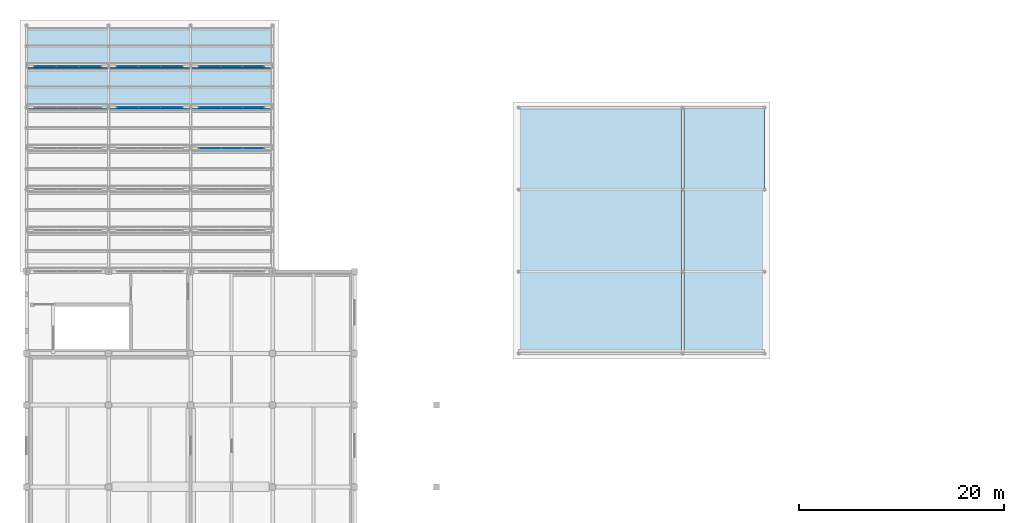
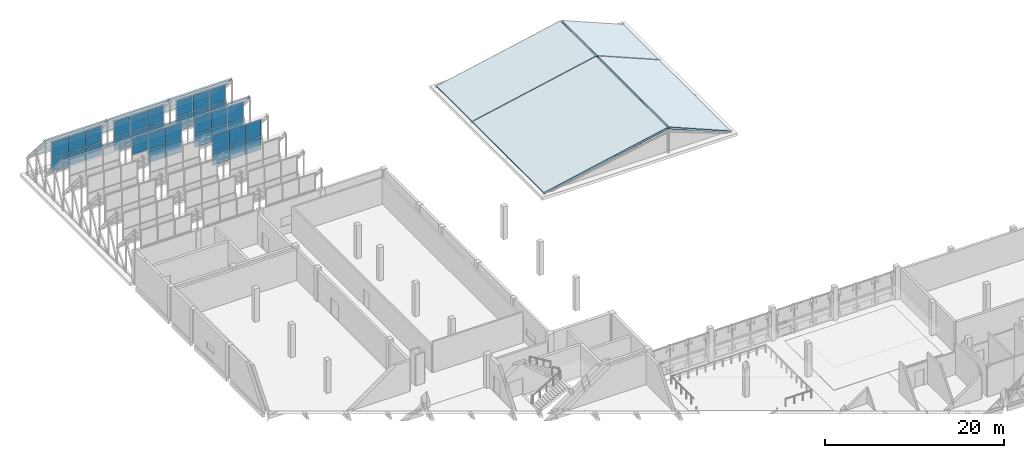
# One storey, part 32 of 43: 35 plates, 6 slabs, 10 elements without a shape of their own.
"""IFC4 building model written with IfcOpenShell, lengths in metres."""

from ifc_helpers import new_model, si_unit, direction, frame, origin, origin_2d, place, context, subcontext, project, spatial, polyline, rectangle, outline, extrude, material, layer, layer_set, type_object, element, aggregate, save


model = new_model("IFC4")

# Units and contexts
model_context = context("Model", 3, precision=1e-05, world=origin(), true_north=direction((0.0, 1.0)))
body_context = subcontext(model_context, "Body", "Model", "MODEL_VIEW")
ifc_project = project(units=[si_unit("LENGTHUNIT", "METRE"), si_unit("AREAUNIT", "SQUARE_METRE"), si_unit("VOLUMEUNIT", "CUBIC_METRE"), si_unit("PLANEANGLEUNIT", "RADIAN"), si_unit("MASSUNIT", "GRAM", prefix="KILO")], contexts=[model_context])

# Site, building, storey
site_placement = place(None, origin())
site = spatial("IfcSite", under=ifc_project, at=site_placement, CompositionType="ELEMENT")
building_placement = place(site_placement, origin())
building = spatial("IfcBuilding", under=site, at=building_placement, Name="Qorikala Patio Media Centre", CompositionType="ELEMENT")
storey_placement = place(building_placement, frame((0.0, 0.0, 18.89990234375)))
storey = spatial("IfcBuildingStorey", under=building, at=storey_placement, Name="L04", CompositionType="ELEMENT", Elevation=18.89990234375)

# Curtain wall, plates
ifc_material_1 = material(Name="Bronze Anodised Aluminium and Low-E Glass", Category="aluminium")
ifc_layer_1 = layer(ifc_material_1, 0.159912109375)
ifc_layer_set_1 = layer_set([ifc_layer_1], Name="Bronze Anodised Aluminium and Low-E Glass")
curtain_wall_type_1 = type_object("IfcCurtainWallType", Name="CW-SAW-640X420", PredefinedType="USERDEFINED", material=ifc_layer_set_1)
curtain_wall_1_placement = place(storey_placement, origin())
curtain_wall_1 = element("IfcCurtainWall", 1, at=curtain_wall_1_placement, inside=storey, type_object=curtain_wall_type_1, Name="L04 Sawtooth Glazing 153", ObjectType="SAWTOOTH GLAZING", PredefinedType="USERDEFINED")
ifc_material_2 = material(Name="Acoustic Laminated Low-E Glass", Category="glass")
ifc_layer_2 = layer(ifc_material_2, 0.031982421875)
ifc_layer_set_2 = layer_set([ifc_layer_2], Name="Acoustic Laminated Low-E Glass")
plate_type = type_object("IfcPlateType", Name="CWP-32", PredefinedType="CURTAIN_PANEL", material=ifc_layer_set_2)
plate_1_placement = place(storey_placement, frame((20.881591796875, 84.0, 2.81005859375), z_axis=(0.0, 0.0, 1.0), x_axis=(1.0, 0.0, 0.0)))
plate_1 = element("IfcPlate", 2, at=plate_1_placement, type_object=plate_type, Name="CWS640420 panel 1.1", PredefinedType="CURTAIN_PANEL", context=body_context, shape_type="SweptSolid", body=[
    extrude(rectangle(XDim=2.043212890625, YDim=0.031982421875, at=origin_2d()), origin(), (0.0, 0.0, 1.0), 1.800048828125),
])
plate_2_placement = place(storey_placement, frame((20.881591796875, 84.0, 4.669921875), z_axis=(0.0, 0.0, 1.0), x_axis=(1.0, 0.0, 0.0)))
plate_2 = element("IfcPlate", 3, at=plate_2_placement, type_object=plate_type, Name="CWS640420 panel 1.2", PredefinedType="CURTAIN_PANEL", context=body_context, shape_type="SweptSolid", body=[
    extrude(rectangle(XDim=2.043212890625, YDim=0.031982421875, at=origin_2d()), origin(), (0.0, 0.0, 1.0), 2.219970703125),
])
plate_3_placement = place(storey_placement, frame((23.0, 84.0, 2.81005859375), z_axis=(0.0, 0.0, 1.0), x_axis=(1.0, 0.0, 0.0)))
plate_3 = element("IfcPlate", 4, at=plate_3_placement, type_object=plate_type, Name="CWS640420 panel 2.1", PredefinedType="CURTAIN_PANEL", context=body_context, shape_type="SweptSolid", body=[
    extrude(rectangle(XDim=2.0732421875, YDim=0.031982421875, at=origin_2d()), origin(), (0.0, 0.0, 1.0), 1.800048828125),
])
plate_4_placement = place(storey_placement, frame((23.0, 84.0, 4.669921875), z_axis=(0.0, 0.0, 1.0), x_axis=(1.0, 0.0, 0.0)))
plate_4 = element("IfcPlate", 5, at=plate_4_placement, type_object=plate_type, Name="CWS640420 panel 2.2", PredefinedType="CURTAIN_PANEL", context=body_context, shape_type="SweptSolid", body=[
    extrude(rectangle(XDim=2.0732421875, YDim=0.031982421875, at=origin_2d()), origin(), (0.0, 0.0, 1.0), 2.219970703125),
])
plate_5_placement = place(storey_placement, frame((25.118408203125, 84.0, 2.81005859375), z_axis=(0.0, 0.0, 1.0), x_axis=(1.0, 0.0, 0.0)))
plate_5 = element("IfcPlate", 6, at=plate_5_placement, type_object=plate_type, Name="CWS640420 panel 3.1", PredefinedType="CURTAIN_PANEL", context=body_context, shape_type="SweptSolid", body=[
    extrude(rectangle(XDim=2.043212890625, YDim=0.031982421875, at=origin_2d()), origin(), (0.0, 0.0, 1.0), 1.800048828125),
])
plate_6_placement = place(storey_placement, frame((25.118408203125, 84.0, 4.669921875), z_axis=(0.0, 0.0, 1.0), x_axis=(1.0, 0.0, 0.0)))
plate_6 = element("IfcPlate", 7, at=plate_6_placement, type_object=plate_type, Name="CWS640420 panel 3.2", PredefinedType="CURTAIN_PANEL", context=body_context, shape_type="SweptSolid", body=[
    extrude(rectangle(XDim=2.043212890625, YDim=0.031982421875, at=origin_2d()), origin(), (0.0, 0.0, 1.0), 2.219970703125),
])
aggregate(curtain_wall_1, [plate_1, plate_2, plate_3, plate_4, plate_5, plate_6])

ifc_layer_3 = layer(ifc_material_1, 0.159912109375)
ifc_layer_set_3 = layer_set([ifc_layer_3], Name="Bronze Anodised Aluminium and Low-E Glass")
curtain_wall_type_2 = type_object("IfcCurtainWallType", Name="CW-SAW-648X414", PredefinedType="USERDEFINED", material=ifc_layer_set_3)
curtain_wall_2_placement = place(storey_placement, origin())
curtain_wall_2 = element("IfcCurtainWall", 8, at=curtain_wall_2_placement, inside=storey, type_object=curtain_wall_type_2, Name="L04 Sawtooth Glazing 155", ObjectType="SAWTOOTH GLAZING", PredefinedType="USERDEFINED")
plate_7_placement = place(storey_placement, frame((12.85498046875, 88.0, 4.64306640625), z_axis=(0.0, 0.0, 1.0), x_axis=(1.0, 0.0, 0.0)))
plate_7 = element("IfcPlate", 9, at=plate_7_placement, type_object=plate_type, Name="CWS648414 panel 1.2", PredefinedType="CURTAIN_PANEL", context=body_context, shape_type="SweptSolid", body=[
    extrude(rectangle(XDim=2.070068359375, YDim=0.031982421875, at=origin_2d()), origin(), (0.0, 0.0, 1.0), 2.18701171875),
])
plate_8_placement = place(storey_placement, frame((15.0, 88.0, 2.81005859375), z_axis=(0.0, 0.0, 1.0), x_axis=(1.0, 0.0, 0.0)))
plate_8 = element("IfcPlate", 10, at=plate_8_placement, type_object=plate_type, Name="CWS648414 panel 2.1", PredefinedType="CURTAIN_PANEL", context=body_context, shape_type="SweptSolid", body=[
    extrude(rectangle(XDim=2.10009765625, YDim=0.031982421875, at=origin_2d()), origin(), (0.0, 0.0, 1.0), 1.77294921875),
])
plate_9_placement = place(storey_placement, frame((15.0, 88.0, 4.64306640625), z_axis=(0.0, 0.0, 1.0), x_axis=(1.0, 0.0, 0.0)))
plate_9 = element("IfcPlate", 11, at=plate_9_placement, type_object=plate_type, Name="CWS648414 panel 2.2", PredefinedType="CURTAIN_PANEL", context=body_context, shape_type="SweptSolid", body=[
    extrude(rectangle(XDim=2.10009765625, YDim=0.031982421875, at=origin_2d()), origin(), (0.0, 0.0, 1.0), 2.18701171875),
])
plate_10_placement = place(storey_placement, frame((17.14501953125, 88.0, 2.81005859375), z_axis=(0.0, 0.0, 1.0), x_axis=(1.0, 0.0, 0.0)))
plate_10 = element("IfcPlate", 12, at=plate_10_placement, type_object=plate_type, Name="CWS648414 panel 3.1", PredefinedType="CURTAIN_PANEL", context=body_context, shape_type="SweptSolid", body=[
    extrude(rectangle(XDim=2.070068359375, YDim=0.031982421875, at=origin_2d()), origin(), (0.0, 0.0, 1.0), 1.77294921875),
])
plate_11_placement = place(storey_placement, frame((17.14501953125, 88.0, 4.64306640625), z_axis=(0.0, 0.0, 1.0), x_axis=(1.0, 0.0, 0.0)))
plate_11 = element("IfcPlate", 13, at=plate_11_placement, type_object=plate_type, Name="CWS648414 panel 3.2", PredefinedType="CURTAIN_PANEL", context=body_context, shape_type="SweptSolid", body=[
    extrude(rectangle(XDim=2.070068359375, YDim=0.031982421875, at=origin_2d()), origin(), (0.0, 0.0, 1.0), 2.18701171875),
])
aggregate(curtain_wall_2, [plate_7, plate_8, plate_9, plate_10, plate_11])

ifc_layer_4 = layer(ifc_material_1, 0.159912109375)
ifc_layer_set_4 = layer_set([ifc_layer_4], Name="Bronze Anodised Aluminium and Low-E Glass")
curtain_wall_type_3 = type_object("IfcCurtainWallType", Name="CW-SAW-640X414", PredefinedType="USERDEFINED", material=ifc_layer_set_4)
curtain_wall_3_placement = place(storey_placement, origin())
curtain_wall_3 = element("IfcCurtainWall", 14, at=curtain_wall_3_placement, inside=storey, type_object=curtain_wall_type_3, Name="L04 Sawtooth Glazing 156", ObjectType="SAWTOOTH GLAZING", PredefinedType="USERDEFINED")
plate_12_placement = place(storey_placement, frame((20.881591796875, 88.0, 2.81005859375), z_axis=(0.0, 0.0, 1.0), x_axis=(1.0, 0.0, 0.0)))
plate_12 = element("IfcPlate", 15, at=plate_12_placement, type_object=plate_type, Name="CWS640414 panel 1.1", PredefinedType="CURTAIN_PANEL", context=body_context, shape_type="SweptSolid", body=[
    extrude(rectangle(XDim=2.043212890625, YDim=0.031982421875, at=origin_2d()), origin(), (0.0, 0.0, 1.0), 1.77294921875),
])
plate_13_placement = place(storey_placement, frame((20.881591796875, 88.0, 4.64306640625), z_axis=(0.0, 0.0, 1.0), x_axis=(1.0, 0.0, 0.0)))
plate_13 = element("IfcPlate", 16, at=plate_13_placement, type_object=plate_type, Name="CWS640414 panel 1.2", PredefinedType="CURTAIN_PANEL", context=body_context, shape_type="SweptSolid", body=[
    extrude(rectangle(XDim=2.043212890625, YDim=0.031982421875, at=origin_2d()), origin(), (0.0, 0.0, 1.0), 2.18701171875),
])
plate_14_placement = place(storey_placement, frame((23.0, 88.0, 2.81005859375), z_axis=(0.0, 0.0, 1.0), x_axis=(1.0, 0.0, 0.0)))
plate_14 = element("IfcPlate", 17, at=plate_14_placement, type_object=plate_type, Name="CWS640414 panel 2.1", PredefinedType="CURTAIN_PANEL", context=body_context, shape_type="SweptSolid", body=[
    extrude(rectangle(XDim=2.0732421875, YDim=0.031982421875, at=origin_2d()), origin(), (0.0, 0.0, 1.0), 1.77294921875),
])
plate_15_placement = place(storey_placement, frame((23.0, 88.0, 4.64306640625), z_axis=(0.0, 0.0, 1.0), x_axis=(1.0, 0.0, 0.0)))
plate_15 = element("IfcPlate", 18, at=plate_15_placement, type_object=plate_type, Name="CWS640414 panel 2.2", PredefinedType="CURTAIN_PANEL", context=body_context, shape_type="SweptSolid", body=[
    extrude(rectangle(XDim=2.0732421875, YDim=0.031982421875, at=origin_2d()), origin(), (0.0, 0.0, 1.0), 2.18701171875),
])
plate_16_placement = place(storey_placement, frame((25.118408203125, 88.0, 2.81005859375), z_axis=(0.0, 0.0, 1.0), x_axis=(1.0, 0.0, 0.0)))
plate_16 = element("IfcPlate", 19, at=plate_16_placement, type_object=plate_type, Name="CWS640414 panel 3.1", PredefinedType="CURTAIN_PANEL", context=body_context, shape_type="SweptSolid", body=[
    extrude(rectangle(XDim=2.043212890625, YDim=0.031982421875, at=origin_2d()), origin(), (0.0, 0.0, 1.0), 1.77294921875),
])
plate_17_placement = place(storey_placement, frame((25.118408203125, 88.0, 4.64306640625), z_axis=(0.0, 0.0, 1.0), x_axis=(1.0, 0.0, 0.0)))
plate_17 = element("IfcPlate", 20, at=plate_17_placement, type_object=plate_type, Name="CWS640414 panel 3.2", PredefinedType="CURTAIN_PANEL", context=body_context, shape_type="SweptSolid", body=[
    extrude(rectangle(XDim=2.043212890625, YDim=0.031982421875, at=origin_2d()), origin(), (0.0, 0.0, 1.0), 2.18701171875),
])
aggregate(curtain_wall_3, [plate_12, plate_13, plate_14, plate_15, plate_16, plate_17])

ifc_layer_5 = layer(ifc_material_1, 0.159912109375)
ifc_layer_set_5 = layer_set([ifc_layer_5], Name="Bronze Anodised Aluminium and Low-E Glass")
curtain_wall_type_4 = type_object("IfcCurtainWallType", Name="CW-SAW-656X408", PredefinedType="USERDEFINED", material=ifc_layer_set_5)
curtain_wall_4_placement = place(storey_placement, origin())
curtain_wall_4 = element("IfcCurtainWall", 21, at=curtain_wall_4_placement, inside=storey, type_object=curtain_wall_type_4, Name="L04 Sawtooth Glazing 157", ObjectType="SAWTOOTH GLAZING", PredefinedType="USERDEFINED")
plate_18_placement = place(storey_placement, frame((4.828369140625, 92.0, 2.81005859375), z_axis=(0.0, 0.0, 1.0), x_axis=(1.0, 0.0, 0.0)))
plate_18 = element("IfcPlate", 22, at=plate_18_placement, type_object=plate_type, Name="CWS656408 panel 1.1", PredefinedType="CURTAIN_PANEL", context=body_context, shape_type="SweptSolid", body=[
    extrude(rectangle(XDim=2.0966796875, YDim=0.031982421875, at=origin_2d()), origin(), (0.0, 0.0, 1.0), 1.74609375),
])
plate_19_placement = place(storey_placement, frame((4.828369140625, 92.0, 4.6162109375), z_axis=(0.0, 0.0, 1.0), x_axis=(1.0, 0.0, 0.0)))
plate_19 = element("IfcPlate", 23, at=plate_19_placement, type_object=plate_type, Name="CWS656408 panel 1.2", PredefinedType="CURTAIN_PANEL", context=body_context, shape_type="SweptSolid", body=[
    extrude(rectangle(XDim=2.0966796875, YDim=0.031982421875, at=origin_2d()), origin(), (0.0, 0.0, 1.0), 2.154052734375),
])
plate_20_placement = place(storey_placement, frame((7.0, 92.0, 2.81005859375), z_axis=(0.0, 0.0, 1.0), x_axis=(1.0, 0.0, 0.0)))
plate_20 = element("IfcPlate", 24, at=plate_20_placement, type_object=plate_type, Name="CWS656408 panel 2.1", PredefinedType="CURTAIN_PANEL", context=body_context, shape_type="SweptSolid", body=[
    extrude(rectangle(XDim=2.126708984375, YDim=0.031982421875, at=origin_2d()), origin(), (0.0, 0.0, 1.0), 1.74609375),
])
plate_21_placement = place(storey_placement, frame((7.0, 92.0, 4.6162109375), z_axis=(0.0, 0.0, 1.0), x_axis=(1.0, 0.0, 0.0)))
plate_21 = element("IfcPlate", 25, at=plate_21_placement, type_object=plate_type, Name="CWS656408 panel 2.2", PredefinedType="CURTAIN_PANEL", context=body_context, shape_type="SweptSolid", body=[
    extrude(rectangle(XDim=2.126708984375, YDim=0.031982421875, at=origin_2d()), origin(), (0.0, 0.0, 1.0), 2.154052734375),
])
plate_22_placement = place(storey_placement, frame((9.171630859375, 92.0, 2.81005859375), z_axis=(0.0, 0.0, 1.0), x_axis=(1.0, 0.0, 0.0)))
plate_22 = element("IfcPlate", 26, at=plate_22_placement, type_object=plate_type, Name="CWS656408 panel 3.1", PredefinedType="CURTAIN_PANEL", context=body_context, shape_type="SweptSolid", body=[
    extrude(rectangle(XDim=2.0966796875, YDim=0.031982421875, at=origin_2d()), origin(), (0.0, 0.0, 1.0), 1.74609375),
])
plate_23_placement = place(storey_placement, frame((9.171630859375, 92.0, 4.6162109375), z_axis=(0.0, 0.0, 1.0), x_axis=(1.0, 0.0, 0.0)))
plate_23 = element("IfcPlate", 27, at=plate_23_placement, type_object=plate_type, Name="CWS656408 panel 3.2", PredefinedType="CURTAIN_PANEL", context=body_context, shape_type="SweptSolid", body=[
    extrude(rectangle(XDim=2.0966796875, YDim=0.031982421875, at=origin_2d()), origin(), (0.0, 0.0, 1.0), 2.154052734375),
])
aggregate(curtain_wall_4, [plate_18, plate_19, plate_20, plate_21, plate_22, plate_23])

ifc_layer_6 = layer(ifc_material_1, 0.159912109375)
ifc_layer_set_6 = layer_set([ifc_layer_6], Name="Bronze Anodised Aluminium and Low-E Glass")
curtain_wall_type_5 = type_object("IfcCurtainWallType", Name="CW-SAW-648X408", PredefinedType="USERDEFINED", material=ifc_layer_set_6)
curtain_wall_5_placement = place(storey_placement, origin())
curtain_wall_5 = element("IfcCurtainWall", 28, at=curtain_wall_5_placement, inside=storey, type_object=curtain_wall_type_5, Name="L04 Sawtooth Glazing 158", ObjectType="SAWTOOTH GLAZING", PredefinedType="USERDEFINED")
plate_24_placement = place(storey_placement, frame((12.85498046875, 92.0, 2.81005859375), z_axis=(0.0, 0.0, 1.0), x_axis=(1.0, 0.0, 0.0)))
plate_24 = element("IfcPlate", 29, at=plate_24_placement, type_object=plate_type, Name="CWS648408 panel 1.1", PredefinedType="CURTAIN_PANEL", context=body_context, shape_type="SweptSolid", body=[
    extrude(rectangle(XDim=2.070068359375, YDim=0.031982421875, at=origin_2d()), origin(), (0.0, 0.0, 1.0), 1.74609375),
])
plate_25_placement = place(storey_placement, frame((12.85498046875, 92.0, 4.6162109375), z_axis=(0.0, 0.0, 1.0), x_axis=(1.0, 0.0, 0.0)))
plate_25 = element("IfcPlate", 30, at=plate_25_placement, type_object=plate_type, Name="CWS648408 panel 1.2", PredefinedType="CURTAIN_PANEL", context=body_context, shape_type="SweptSolid", body=[
    extrude(rectangle(XDim=2.070068359375, YDim=0.031982421875, at=origin_2d()), origin(), (0.0, 0.0, 1.0), 2.154052734375),
])
plate_26_placement = place(storey_placement, frame((15.0, 92.0, 2.81005859375), z_axis=(0.0, 0.0, 1.0), x_axis=(1.0, 0.0, 0.0)))
plate_26 = element("IfcPlate", 31, at=plate_26_placement, type_object=plate_type, Name="CWS648408 panel 2.1", PredefinedType="CURTAIN_PANEL", context=body_context, shape_type="SweptSolid", body=[
    extrude(rectangle(XDim=2.10009765625, YDim=0.031982421875, at=origin_2d()), origin(), (0.0, 0.0, 1.0), 1.74609375),
])
plate_27_placement = place(storey_placement, frame((15.0, 92.0, 4.6162109375), z_axis=(0.0, 0.0, 1.0), x_axis=(1.0, 0.0, 0.0)))
plate_27 = element("IfcPlate", 32, at=plate_27_placement, type_object=plate_type, Name="CWS648408 panel 2.2", PredefinedType="CURTAIN_PANEL", context=body_context, shape_type="SweptSolid", body=[
    extrude(rectangle(XDim=2.10009765625, YDim=0.031982421875, at=origin_2d()), origin(), (0.0, 0.0, 1.0), 2.154052734375),
])
plate_28_placement = place(storey_placement, frame((17.14501953125, 92.0, 2.81005859375), z_axis=(0.0, 0.0, 1.0), x_axis=(1.0, 0.0, 0.0)))
plate_28 = element("IfcPlate", 33, at=plate_28_placement, type_object=plate_type, Name="CWS648408 panel 3.1", PredefinedType="CURTAIN_PANEL", context=body_context, shape_type="SweptSolid", body=[
    extrude(rectangle(XDim=2.070068359375, YDim=0.031982421875, at=origin_2d()), origin(), (0.0, 0.0, 1.0), 1.74609375),
])
plate_29_placement = place(storey_placement, frame((17.14501953125, 92.0, 4.6162109375), z_axis=(0.0, 0.0, 1.0), x_axis=(1.0, 0.0, 0.0)))
plate_29 = element("IfcPlate", 34, at=plate_29_placement, type_object=plate_type, Name="CWS648408 panel 3.2", PredefinedType="CURTAIN_PANEL", context=body_context, shape_type="SweptSolid", body=[
    extrude(rectangle(XDim=2.070068359375, YDim=0.031982421875, at=origin_2d()), origin(), (0.0, 0.0, 1.0), 2.154052734375),
])
aggregate(curtain_wall_5, [plate_24, plate_25, plate_26, plate_27, plate_28, plate_29])

ifc_layer_7 = layer(ifc_material_1, 0.159912109375)
ifc_layer_set_7 = layer_set([ifc_layer_7], Name="Bronze Anodised Aluminium and Low-E Glass")
curtain_wall_type_6 = type_object("IfcCurtainWallType", Name="CW-SAW-640X408", PredefinedType="USERDEFINED", material=ifc_layer_set_7)
curtain_wall_6_placement = place(storey_placement, origin())
curtain_wall_6 = element("IfcCurtainWall", 35, at=curtain_wall_6_placement, inside=storey, type_object=curtain_wall_type_6, Name="L04 Sawtooth Glazing 159", ObjectType="SAWTOOTH GLAZING", PredefinedType="USERDEFINED")
plate_30_placement = place(storey_placement, frame((20.881591796875, 92.0, 2.81005859375), z_axis=(0.0, 0.0, 1.0), x_axis=(1.0, 0.0, 0.0)))
plate_30 = element("IfcPlate", 36, at=plate_30_placement, type_object=plate_type, Name="CWS640408 panel 1.1", PredefinedType="CURTAIN_PANEL", context=body_context, shape_type="SweptSolid", body=[
    extrude(rectangle(XDim=2.043212890625, YDim=0.031982421875, at=origin_2d()), origin(), (0.0, 0.0, 1.0), 1.74609375),
])
plate_31_placement = place(storey_placement, frame((20.881591796875, 92.0, 4.6162109375), z_axis=(0.0, 0.0, 1.0), x_axis=(1.0, 0.0, 0.0)))
plate_31 = element("IfcPlate", 37, at=plate_31_placement, type_object=plate_type, Name="CWS640408 panel 1.2", PredefinedType="CURTAIN_PANEL", context=body_context, shape_type="SweptSolid", body=[
    extrude(rectangle(XDim=2.043212890625, YDim=0.031982421875, at=origin_2d()), origin(), (0.0, 0.0, 1.0), 2.154052734375),
])
plate_32_placement = place(storey_placement, frame((23.0, 92.0, 2.81005859375), z_axis=(0.0, 0.0, 1.0), x_axis=(1.0, 0.0, 0.0)))
plate_32 = element("IfcPlate", 38, at=plate_32_placement, type_object=plate_type, Name="CWS640408 panel 2.1", PredefinedType="CURTAIN_PANEL", context=body_context, shape_type="SweptSolid", body=[
    extrude(rectangle(XDim=2.0732421875, YDim=0.031982421875, at=origin_2d()), origin(), (0.0, 0.0, 1.0), 1.74609375),
])
plate_33_placement = place(storey_placement, frame((23.0, 92.0, 4.6162109375), z_axis=(0.0, 0.0, 1.0), x_axis=(1.0, 0.0, 0.0)))
plate_33 = element("IfcPlate", 39, at=plate_33_placement, type_object=plate_type, Name="CWS640408 panel 2.2", PredefinedType="CURTAIN_PANEL", context=body_context, shape_type="SweptSolid", body=[
    extrude(rectangle(XDim=2.0732421875, YDim=0.031982421875, at=origin_2d()), origin(), (0.0, 0.0, 1.0), 2.154052734375),
])
plate_34_placement = place(storey_placement, frame((25.118408203125, 92.0, 2.81005859375), z_axis=(0.0, 0.0, 1.0), x_axis=(1.0, 0.0, 0.0)))
plate_34 = element("IfcPlate", 40, at=plate_34_placement, type_object=plate_type, Name="CWS640408 panel 3.1", PredefinedType="CURTAIN_PANEL", context=body_context, shape_type="SweptSolid", body=[
    extrude(rectangle(XDim=2.043212890625, YDim=0.031982421875, at=origin_2d()), origin(), (0.0, 0.0, 1.0), 1.74609375),
])
plate_35_placement = place(storey_placement, frame((25.118408203125, 92.0, 4.6162109375), z_axis=(0.0, 0.0, 1.0), x_axis=(1.0, 0.0, 0.0)))
plate_35 = element("IfcPlate", 41, at=plate_35_placement, type_object=plate_type, Name="CWS640408 panel 3.2", PredefinedType="CURTAIN_PANEL", context=body_context, shape_type="SweptSolid", body=[
    extrude(rectangle(XDim=2.043212890625, YDim=0.031982421875, at=origin_2d()), origin(), (0.0, 0.0, 1.0), 2.154052734375),
])
aggregate(curtain_wall_6, [plate_30, plate_31, plate_32, plate_33, plate_34, plate_35])

# Roof, slabs
ifc_material_3 = material(Name="Terracotta Clay Tile and Steel S355", Category="masonry")
roof_type_1 = type_object("IfcRoofType", Name="ROOF-GABLE", PredefinedType="GABLE_ROOF", material=ifc_material_3)
roof_1_placement = place(storey_placement, origin())
roof_1 = element("IfcRoof", 42, at=roof_1_placement, inside=storey, type_object=roof_type_1, Name="RF-V5A Spanish Clay-Tile Gable Roof", PredefinedType="GABLE_ROOF")
ifc_material_4 = material(Name="Concrete C35/45", Category="concrete")
ifc_layer_8 = layer(ifc_material_4, 0.260009765625)
ifc_layer_set_8 = layer_set([ifc_layer_8], Name="Concrete C35/45")
slab_type_1 = type_object("IfcSlabType", Name="SL-ROOF-180", PredefinedType="ROOF", material=ifc_layer_set_8)
slab_1_placement = place(storey_placement, frame((51.0, 64.050048828125, 0.300048828125), z_axis=(-0.203466133472, 0.0, 0.97908198458), x_axis=(0.97908198458, 0.0, 0.203466133472)))
slab_1 = element("IfcSlab", 43, at=slab_1_placement, type_object=slab_type_1, Name="RF-V5A Pitched Roof Slab W", PredefinedType="ROOF", context=body_context, shape_type="SweptSolid", body=[
    extrude(outline(polyline([(0.0, 0.0), (16.219155354294568, 0.0), (16.219155354294568, 15.89990234375), (0.0, 15.89990234375), (0.0, 0.0)])), origin(), (0.0, 0.0, -1.0), 0.260009765625),
])
slab_2_placement = place(storey_placement, frame((67.1201171875, 64.050048828125, 3.60009765625), z_axis=(0.386286811555, 0.0, 0.922378717891), x_axis=(0.922378717891, 0.0, -0.386286811555)))
slab_2 = element("IfcSlab", 44, at=slab_2_placement, type_object=slab_type_1, Name="RF-V5A Pitched Roof Slab E", PredefinedType="ROOF", context=body_context, shape_type="SweptSolid", body=[
    extrude(outline(polyline([(0.0, 0.0), (8.543001545519122, 0.0), (8.543001545519122, 15.89990234375), (0.0, 15.89990234375), (0.0, 0.0)])), origin(), (0.0, 0.0, -1.0), 0.260009765625),
])
aggregate(roof_1, [slab_1, slab_2])

roof_2_placement = place(storey_placement, origin())
roof_2 = element("IfcRoof", 45, at=roof_2_placement, inside=storey, type_object=roof_type_1, Name="RF-V5B Spanish Clay-Tile Gable Roof", PredefinedType="GABLE_ROOF")
slab_3_placement = place(storey_placement, frame((51.0, 80.050048828125, 0.300048828125), z_axis=(-0.203466133472, 0.0, 0.97908198458), x_axis=(0.97908198458, 0.0, 0.203466133472)))
slab_3 = element("IfcSlab", 46, at=slab_3_placement, type_object=slab_type_1, Name="RF-V5B Pitched Roof Slab W", PredefinedType="ROOF", context=body_context, shape_type="SweptSolid", body=[
    extrude(outline(polyline([(0.0, 0.0), (16.219155354294568, 0.0), (16.219155354294568, 7.89990234375), (0.0, 7.89990234375), (0.0, 0.0)])), origin(), (0.0, 0.0, -1.0), 0.260009765625),
])
slab_4_placement = place(storey_placement, frame((67.1201171875, 80.050048828125, 3.60009765625), z_axis=(0.386286811555, 0.0, 0.922378717891), x_axis=(0.922378717891, 0.0, -0.386286811555)))
slab_4 = element("IfcSlab", 47, at=slab_4_placement, type_object=slab_type_1, Name="RF-V5B Pitched Roof Slab E", PredefinedType="ROOF", context=body_context, shape_type="SweptSolid", body=[
    extrude(outline(polyline([(0.0, 0.0), (8.543001545519122, 0.0), (8.543001545519122, 7.89990234375), (0.0, 7.89990234375), (0.0, 0.0)])), origin(), (0.0, 0.0, -1.0), 0.260009765625),
])
aggregate(roof_2, [slab_3, slab_4])

# Roof, slab
ifc_material_5 = material(Name="Steel S355", Category="steel")
roof_type_2 = type_object("IfcRoofType", Name="ROOF-SAWTOOTH", PredefinedType="SHED_ROOF", material=ifc_material_5)
roof_3_placement = place(storey_placement, origin())
roof_3 = element("IfcRoof", 48, at=roof_3_placement, inside=storey, type_object=roof_type_2, Name="SAW-V4 Sawtooth Roof Bay 5", PredefinedType="SHED_ROOF")
ifc_material_6 = material(Name="Insulated Steel Deck and Concrete C35/45", Category="concrete")
ifc_layer_9 = layer(ifc_material_6, 0.159912109375)
ifc_layer_set_9 = layer_set([ifc_layer_9], Name="Insulated Steel Deck and Concrete C35/45")
slab_type_2 = type_object("IfcSlabType", Name="SL-SAW-160", PredefinedType="ROOF", material=ifc_layer_set_9)
slab_5_placement = place(storey_placement, frame((3.0, 88.0, 7.400146484375), z_axis=(0.0, 0.758114748465, 0.652121175978), x_axis=(1.0, 0.0, 0.0)))
slab_5 = element("IfcSlab", 49, at=slab_5_placement, type_object=slab_type_2, Name="SAW-V4 Sawtooth Roof Slab Bay 5", PredefinedType="ROOF", context=body_context, shape_type="SweptSolid", body=[
    extrude(outline(polyline([(0.0, 0.0), (24.0, 0.0), (24.0, 6.1338293362421785), (0.0, 6.1338293362421785), (0.0, 0.0)])), origin(), (0.0, 0.0, -1.0), 0.159912109375),
])
aggregate(roof_3, [slab_5])

roof_4_placement = place(storey_placement, origin())
roof_4 = element("IfcRoof", 50, at=roof_4_placement, inside=storey, type_object=roof_type_2, Name="SAW-V4 Sawtooth Roof Bay 6", PredefinedType="SHED_ROOF")
slab_6_placement = place(storey_placement, frame((3.0, 92.0, 7.400146484375), z_axis=(0.0, 0.758114748465, 0.652121175978), x_axis=(1.0, 0.0, 0.0)))
slab_6 = element("IfcSlab", 51, at=slab_6_placement, type_object=slab_type_2, Name="SAW-V4 Sawtooth Roof Slab Bay 6", PredefinedType="ROOF", context=body_context, shape_type="SweptSolid", body=[
    extrude(outline(polyline([(0.0, 0.0), (24.0, 0.0), (24.0, 6.1338293362421785), (0.0, 6.1338293362421785), (0.0, 0.0)])), origin(), (0.0, 0.0, -1.0), 0.159912109375),
])
aggregate(roof_4, [slab_6])

save(model, "model.ifc")
